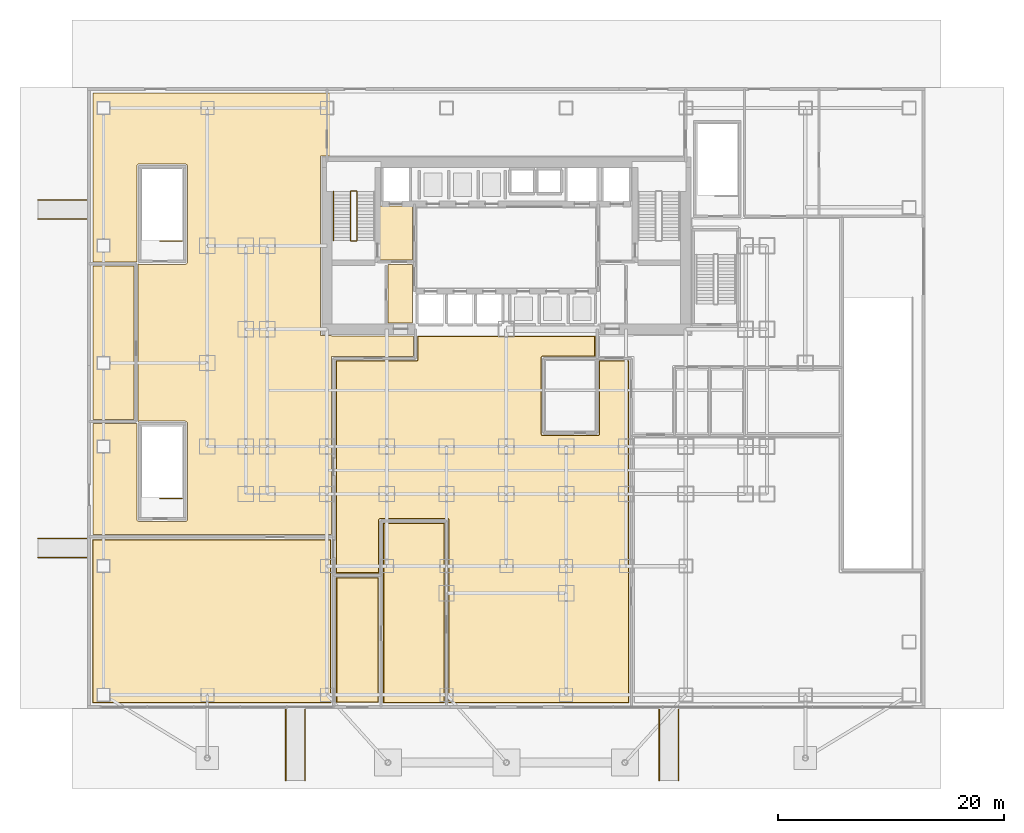
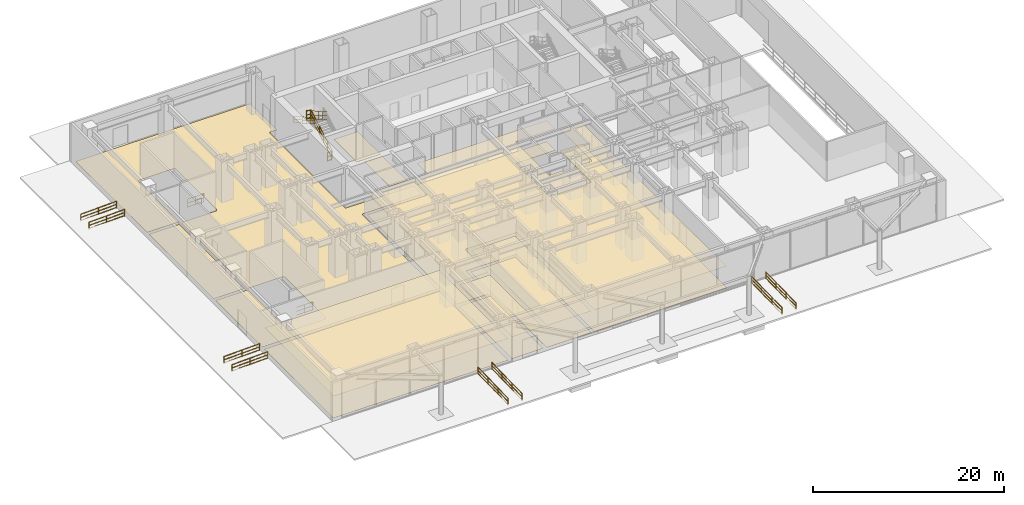
# One storey, part 15 of 18: 15 railings, 12 coverings.
"""IFC4 building model written with IfcOpenShell, lengths in metres."""

from ifc_helpers import new_model, si_unit, direction, frame, origin, origin_2d, place, context, subcontext, project, spatial, polyline, circle, outline, extrude, material, layer, layer_set, type_object, element, save


model = new_model("IFC4")

# Units and contexts
model_context = context("Model", 3, precision=1e-05, world=origin(), true_north=direction((0.0, 1.0)))
body_context = subcontext(model_context, "Body", "Model", "MODEL_VIEW")
ifc_project = project(units=[si_unit("LENGTHUNIT", "METRE"), si_unit("AREAUNIT", "SQUARE_METRE"), si_unit("VOLUMEUNIT", "CUBIC_METRE"), si_unit("PLANEANGLEUNIT", "RADIAN"), si_unit("MASSUNIT", "GRAM", prefix="KILO")], contexts=[model_context])

# Site, building, storey
site_placement = place(None, origin())
site = spatial("IfcSite", under=ifc_project, at=site_placement, CompositionType="ELEMENT")
building_placement = place(site_placement, origin())
building = spatial("IfcBuilding", under=site, at=building_placement, Name="Qianlan Lanfeng Residences", CompositionType="ELEMENT")
storey_placement = place(building_placement, origin())
storey = spatial("IfcBuildingStorey", under=building, at=storey_placement, Name="L00", CompositionType="ELEMENT", Elevation=0.0)

# Coverings
ifc_material_1 = material(Name="Acoustic Perforated Gypsum Ceiling Board")
ifc_layer_1 = layer(ifc_material_1, 0.02001953125)
ifc_layer_set_1 = layer_set([ifc_layer_1], Name="Acoustic Perforated Gypsum Ceiling Board")
covering_type_1 = type_object("IfcCoveringType", Name="CLG-GYP-15", PredefinedType="CEILING", material=ifc_layer_set_1)
covering_1_placement = place(storey_placement, frame((0.0, 0.0, 2.75)))
element("IfcCovering", 1, at=covering_1_placement, inside=storey, type_object=covering_type_1, Name="L00 Fire Command Centre Suspended Ceiling", PredefinedType="CEILING", context=body_context, shape_type="SweptSolid", body=[
    extrude(outline(polyline([(11.469970703125, -7.830078125), (15.1298828125, -7.830078125), (15.1298828125, 3.1298828125), (11.469970703125, 3.1298828125), (11.469970703125, -7.830078125)])), origin(), (0.0, 0.0, 1.0), 0.02001953125),
])
covering_2_placement = place(storey_placement, frame((0.0, 0.0, 2.75)))
element("IfcCovering", 2, at=covering_2_placement, inside=storey, type_object=covering_type_1, Name="L00 Harbour Retail Gallery Suspended Ceiling", PredefinedType="CEILING", context=body_context, shape_type="SweptSolid", body=[
    extrude(outline(polyline([(-10.1298828125, -7.8798828125), (10.929931640625, -7.8798828125), (10.929931640625, 6.530029296875), (-10.1298828125, 6.530029296875), (-10.1298828125, -7.8798828125)])), origin(), (0.0, 0.0, 1.0), 0.02001953125),
])
covering_3_placement = place(storey_placement, frame((0.0, 0.0, 2.75)))
element("IfcCovering", 3, at=covering_3_placement, inside=storey, type_object=covering_type_1, Name="L00 Harbour Cafe Suspended Ceiling", PredefinedType="CEILING", context=body_context, shape_type="SweptSolid", body=[
    extrude(outline(polyline([(15.639892578125, -7.8798828125), (20.9599609375, -7.8798828125), (20.9599609375, 7.9599609375), (15.639892578125, 7.9599609375), (15.639892578125, -7.8798828125)])), origin(), (0.0, 0.0, 1.0), 0.02001953125),
])
covering_4_placement = place(storey_placement, frame((0.0, 0.0, 2.75)))
element("IfcCovering", 4, at=covering_4_placement, inside=storey, type_object=covering_type_1, Name="L00 Grand Entrance Concierge Hall Suspended Ceiling", PredefinedType="CEILING", context=body_context, shape_type="SweptSolid", body=[
    extrude(outline(polyline([(37.340087890625, -7.8798828125), (37.340087890625, 22.3798828125), (34.77001953125, 22.3798828125), (34.77001953125, 15.89990234375), (34.76904296875, 15.887939453125), (34.76806640625, 15.876953125), (34.764892578125, 15.864990234375), (34.760986328125, 15.85400390625), (34.756103515625, 15.843017578125), (34.75, 15.8330078125), (34.742919921875, 15.823974609375), (34.735107421875, 15.81494140625), (34.72607421875, 15.806884765625), (34.717041015625, 15.800048828125), (34.70703125, 15.7939453125), (34.696044921875, 15.7890625), (34.68505859375, 15.784912109375), (34.673095703125, 15.781982421875), (34.662109375, 15.781005859375), (34.64990234375, 15.780029296875), (29.699951171875, 15.780029296875), (29.68798828125, 15.781005859375), (29.677001953125, 15.781982421875), (29.6650390625, 15.784912109375), (29.654052734375, 15.7890625), (29.64306640625, 15.7939453125), (29.633056640625, 15.800048828125), (29.6240234375, 15.806884765625), (29.614990234375, 15.81494140625), (29.60693359375, 15.823974609375), (29.60009765625, 15.8330078125), (29.593994140625, 15.843017578125), (29.589111328125, 15.85400390625), (29.5849609375, 15.864990234375), (29.58203125, 15.876953125), (29.5810546875, 15.887939453125), (29.580078125, 15.89990234375), (29.580078125, 22.699951171875), (29.5810546875, 22.7119140625), (29.58203125, 22.722900390625), (29.5849609375, 22.735107421875), (29.589111328125, 22.74609375), (29.593994140625, 22.757080078125), (29.60009765625, 22.76708984375), (29.60693359375, 22.77587890625), (29.614990234375, 22.784912109375), (29.6240234375, 22.79296875), (29.633056640625, 22.800048828125), (29.64306640625, 22.805908203125), (29.654052734375, 22.81103515625), (29.6650390625, 22.81494140625), (29.677001953125, 22.818115234375), (29.68798828125, 22.819091796875), (29.699951171875, 22.820068359375), (34.330078125, 22.820068359375), (34.330078125, 24.56005859375), (18.669921875, 24.56005859375), (18.669921875, 22.5), (18.6689453125, 22.488037109375), (18.66796875, 22.47705078125), (18.6650390625, 22.465087890625), (18.660888671875, 22.4541015625), (18.656005859375, 22.443115234375), (18.64990234375, 22.43310546875), (18.64306640625, 22.424072265625), (18.635009765625, 22.4150390625), (18.6259765625, 22.406982421875), (18.616943359375, 22.39990234375), (18.60693359375, 22.39404296875), (18.595947265625, 22.388916015625), (18.5849609375, 22.385009765625), (18.572998046875, 22.382080078125), (18.56201171875, 22.381103515625), (18.550048828125, 22.3798828125), (11.4599609375, 22.3798828125), (11.4599609375, 3.6201171875), (15.179931640625, 3.6201171875), (15.179931640625, 8.300048828125), (15.180908203125, 8.31201171875), (15.181884765625, 8.322998046875), (15.18505859375, 8.3349609375), (15.18896484375, 8.345947265625), (15.194091796875, 8.35693359375), (15.199951171875, 8.366943359375), (15.20703125, 8.3759765625), (15.215087890625, 8.385009765625), (15.22412109375, 8.39306640625), (15.23291015625, 8.39990234375), (15.242919921875, 8.406005859375), (15.25390625, 8.410888671875), (15.264892578125, 8.4150390625), (15.277099609375, 8.41796875), (15.2880859375, 8.4189453125), (15.300048828125, 8.419921875), (21.300048828125, 8.419921875), (21.31201171875, 8.4189453125), (21.322998046875, 8.41796875), (21.3349609375, 8.4150390625), (21.345947265625, 8.410888671875), (21.35693359375, 8.406005859375), (21.366943359375, 8.39990234375), (21.3759765625, 8.39306640625), (21.385009765625, 8.385009765625), (21.39306640625, 8.3759765625), (21.39990234375, 8.366943359375), (21.406005859375, 8.35693359375), (21.410888671875, 8.345947265625), (21.4150390625, 8.3349609375), (21.41796875, 8.322998046875), (21.4189453125, 8.31201171875), (21.419921875, 8.300048828125), (21.419921875, -7.8798828125), (37.340087890625, -7.8798828125)])), origin(), (0.0, 0.0, 1.0), 0.02001953125),
])
ifc_material_2 = material(Name="Honed Taitung Granite Stone Flooring", Category="masonry")
ifc_layer_2 = layer(ifc_material_2, 0.030029296875)
ifc_layer_set_2 = layer_set([ifc_layer_2], Name="Honed Taitung Granite Stone Flooring")
covering_type_2 = type_object("IfcCoveringType", Name="FLR-STN-30", PredefinedType="FLOORING", material=ifc_layer_set_2)
covering_5_placement = place(storey_placement, origin())
element("IfcCovering", 5, at=covering_5_placement, inside=storey, type_object=covering_type_2, Name="L00 Firefighting Lift Lobby Floor Finish", PredefinedType="FLOORING", context=body_context, shape_type="SweptSolid", body=[
    extrude(outline(polyline([(15.2900390625, 31.320068359375), (18.179931640625, 31.320068359375), (18.179931640625, 36.110107421875), (15.2900390625, 36.110107421875), (15.2900390625, 31.320068359375)])), origin(), (0.0, 0.0, 1.0), 0.030029296875),
])
covering_6_placement = place(storey_placement, origin())
element("IfcCovering", 6, at=covering_6_placement, inside=storey, type_object=covering_type_2, Name="L00 Harbour Retail Gallery Floor Finish", PredefinedType="FLOORING", context=body_context, shape_type="SweptSolid", body=[
    extrude(outline(polyline([(-10.179931640625, -7.929931640625), (10.97998046875, -7.929931640625), (10.97998046875, 6.580078125), (-10.179931640625, 6.580078125), (-10.179931640625, -7.929931640625)])), origin(), (0.0, 0.0, 1.0), 0.030029296875),
])
covering_7_placement = place(storey_placement, origin())
element("IfcCovering", 7, at=covering_7_placement, inside=storey, type_object=covering_type_2, Name="L00 Harbour Cafe Floor Finish", PredefinedType="FLOORING", context=body_context, shape_type="SweptSolid", body=[
    extrude(outline(polyline([(15.590087890625, -7.929931640625), (21.010009765625, -7.929931640625), (21.010009765625, 8.010009765625), (15.590087890625, 8.010009765625), (15.590087890625, -7.929931640625)])), origin(), (0.0, 0.0, 1.0), 0.030029296875),
])
covering_8_placement = place(storey_placement, origin())
element("IfcCovering", 8, at=covering_8_placement, inside=storey, type_object=covering_type_2, Name="L00 Grand Entrance Concierge Hall Floor Finish", PredefinedType="FLOORING", context=body_context, shape_type="SweptSolid", body=[
    extrude(outline(polyline([(37.389892578125, -7.929931640625), (37.389892578125, 22.429931640625), (34.719970703125, 22.429931640625), (34.719970703125, 15.89990234375), (34.719970703125, 15.89306640625), (34.718994140625, 15.885986328125), (34.717041015625, 15.8798828125), (34.715087890625, 15.873046875), (34.7119140625, 15.866943359375), (34.7080078125, 15.861083984375), (34.7041015625, 15.85595703125), (34.698974609375, 15.85107421875), (34.694091796875, 15.845947265625), (34.68896484375, 15.842041015625), (34.68310546875, 15.837890625), (34.677001953125, 15.8349609375), (34.669921875, 15.8330078125), (34.6640625, 15.8310546875), (34.656982421875, 15.830078125), (34.64990234375, 15.830078125), (29.699951171875, 15.830078125), (29.693115234375, 15.830078125), (29.68603515625, 15.8310546875), (29.679931640625, 15.8330078125), (29.673095703125, 15.8349609375), (29.6669921875, 15.837890625), (29.660888671875, 15.842041015625), (29.656005859375, 15.845947265625), (29.65087890625, 15.85107421875), (29.64599609375, 15.85595703125), (29.64208984375, 15.861083984375), (29.637939453125, 15.866943359375), (29.635009765625, 15.873046875), (29.633056640625, 15.8798828125), (29.631103515625, 15.885986328125), (29.6298828125, 15.89306640625), (29.6298828125, 15.89990234375), (29.6298828125, 22.699951171875), (29.6298828125, 22.70703125), (29.631103515625, 22.714111328125), (29.633056640625, 22.719970703125), (29.635009765625, 22.72705078125), (29.637939453125, 22.73291015625), (29.64208984375, 22.739013671875), (29.64599609375, 22.743896484375), (29.65087890625, 22.7490234375), (29.656005859375, 22.75390625), (29.660888671875, 22.758056640625), (29.6669921875, 22.761962890625), (29.673095703125, 22.764892578125), (29.679931640625, 22.76708984375), (29.68603515625, 22.76904296875), (29.693115234375, 22.77001953125), (29.699951171875, 22.77001953125), (34.3798828125, 22.77001953125), (34.3798828125, 24.610107421875), (18.6201171875, 24.610107421875), (18.6201171875, 22.5), (18.6201171875, 22.492919921875), (18.618896484375, 22.486083984375), (18.616943359375, 22.47998046875), (18.614990234375, 22.472900390625), (18.612060546875, 22.467041015625), (18.60791015625, 22.4609375), (18.60400390625, 22.4560546875), (18.59912109375, 22.450927734375), (18.593994140625, 22.446044921875), (18.589111328125, 22.44189453125), (18.5830078125, 22.43798828125), (18.576904296875, 22.43505859375), (18.570068359375, 22.43310546875), (18.56396484375, 22.430908203125), (18.556884765625, 22.429931640625), (18.550048828125, 22.429931640625), (11.409912109375, 22.429931640625), (11.409912109375, 3.570068359375), (15.22998046875, 3.570068359375), (15.22998046875, 8.300048828125), (15.22998046875, 8.306884765625), (15.23095703125, 8.31396484375), (15.23291015625, 8.320068359375), (15.235107421875, 8.326904296875), (15.238037109375, 8.3330078125), (15.241943359375, 8.339111328125), (15.24609375, 8.343994140625), (15.2509765625, 8.34912109375), (15.256103515625, 8.35400390625), (15.260986328125, 8.35791015625), (15.26708984375, 8.362060546875), (15.27294921875, 8.364990234375), (15.280029296875, 8.366943359375), (15.285888671875, 8.368896484375), (15.29296875, 8.3701171875), (15.300048828125, 8.3701171875), (21.300048828125, 8.3701171875), (21.306884765625, 8.3701171875), (21.31396484375, 8.368896484375), (21.320068359375, 8.366943359375), (21.326904296875, 8.364990234375), (21.3330078125, 8.362060546875), (21.339111328125, 8.35791015625), (21.343994140625, 8.35400390625), (21.34912109375, 8.34912109375), (21.35400390625, 8.343994140625), (21.35791015625, 8.339111328125), (21.362060546875, 8.3330078125), (21.364990234375, 8.326904296875), (21.366943359375, 8.320068359375), (21.368896484375, 8.31396484375), (21.3701171875, 8.306884765625), (21.3701171875, 8.300048828125), (21.3701171875, -7.929931640625), (37.389892578125, -7.929931640625)])), origin(), (0.0, 0.0, 1.0), 0.030029296875),
])
covering_9_placement = place(storey_placement, origin())
element("IfcCovering", 9, at=covering_9_placement, inside=storey, type_object=covering_type_2, Name="L00 Lift Lobby Floor Finish", PredefinedType="FLOORING", context=body_context, shape_type="SweptSolid", body=[
    extrude(outline(polyline([(16.030029296875, 25.77001953125), (18.169921875, 25.77001953125), (18.169921875, 30.949951171875), (16.030029296875, 30.949951171875), (16.030029296875, 25.77001953125)])), origin(), (0.0, 0.0, 1.0), 0.030029296875),
])
covering_10_placement = place(storey_placement, origin())
element("IfcCovering", 10, at=covering_10_placement, inside=storey, type_object=covering_type_2, Name="L00 West Ground Exit Corridor Floor Finish", PredefinedType="FLOORING", context=body_context, shape_type="SweptSolid", body=[
    extrude(outline(polyline([(-10.14990234375, 7.010009765625), (10.989990234375, 7.010009765625), (10.989990234375, 22.719970703125), (10.989990234375, 22.72705078125), (10.990966796875, 22.73388671875), (10.992919921875, 22.739990234375), (10.9951171875, 22.7470703125), (10.998046875, 22.7529296875), (11.001953125, 22.759033203125), (11.006103515625, 22.763916015625), (11.010986328125, 22.76904296875), (11.01611328125, 22.77392578125), (11.02099609375, 22.778076171875), (11.027099609375, 22.781982421875), (11.032958984375, 22.784912109375), (11.0400390625, 22.787109375), (11.0458984375, 22.7890625), (11.052978515625, 22.7900390625), (11.06005859375, 22.7900390625), (18.25, 22.7900390625), (18.25, 24.610107421875), (11.06005859375, 24.610107421875), (11.052978515625, 24.610107421875), (11.0458984375, 24.611083984375), (11.0400390625, 24.613037109375), (11.032958984375, 24.614990234375), (11.027099609375, 24.617919921875), (11.02099609375, 24.6220703125), (11.01611328125, 24.6259765625), (11.010986328125, 24.6298828125), (10.10009765625, 24.6298828125), (10.093017578125, 24.6298828125), (10.0859375, 24.631103515625), (10.080078125, 24.633056640625), (10.072998046875, 24.635009765625), (10.06689453125, 24.637939453125), (10.06103515625, 24.64208984375), (10.055908203125, 24.64599609375), (10.051025390625, 24.65087890625), (10.0458984375, 24.656005859375), (10.0419921875, 24.660888671875), (10.0380859375, 24.6669921875), (10.034912109375, 24.673095703125), (10.032958984375, 24.679931640625), (10.031005859375, 24.68603515625), (10.030029296875, 24.693115234375), (10.030029296875, 24.699951171875), (10.030029296875, 40.5), (10.030029296875, 40.507080078125), (10.031005859375, 40.513916015625), (10.032958984375, 40.52001953125), (10.034912109375, 40.527099609375), (10.0380859375, 40.532958984375), (10.0419921875, 40.5390625), (10.0458984375, 40.5439453125), (10.051025390625, 40.549072265625), (10.055908203125, 40.553955078125), (10.06103515625, 40.55810546875), (10.06689453125, 40.56201171875), (10.072998046875, 40.56494140625), (10.080078125, 40.56689453125), (10.0859375, 40.569091796875), (10.093017578125, 40.570068359375), (10.10009765625, 40.570068359375), (10.989990234375, 40.570068359375), (10.989990234375, 46.14990234375), (-10.14990234375, 46.14990234375), (-10.14990234375, 31.169921875), (-6.248046875, 31.169921875), (-6.2490234375, 31.175048828125), (-6.25, 31.199951171875), (-6.25, 39.60009765625), (-6.2490234375, 39.625), (-6.2451171875, 39.64892578125), (-6.239013671875, 39.673095703125), (-6.23095703125, 39.696044921875), (-6.219970703125, 39.718017578125), (-6.2080078125, 39.739013671875), (-6.193115234375, 39.759033203125), (-6.177001953125, 39.777099609375), (-6.158935546875, 39.79296875), (-6.138916015625, 39.80810546875), (-6.117919921875, 39.820068359375), (-6.095947265625, 39.8310546875), (-6.072998046875, 39.839111328125), (-6.049072265625, 39.844970703125), (-6.02490234375, 39.84912109375), (-6.0, 39.85009765625), (-2.0, 39.85009765625), (-1.97509765625, 39.84912109375), (-1.950927734375, 39.844970703125), (-1.927001953125, 39.839111328125), (-1.904052734375, 39.8310546875), (-1.882080078125, 39.820068359375), (-1.861083984375, 39.80810546875), (-1.841064453125, 39.79296875), (-1.822998046875, 39.777099609375), (-1.806884765625, 39.759033203125), (-1.7919921875, 39.739013671875), (-1.780029296875, 39.718017578125), (-1.76904296875, 39.696044921875), (-1.760986328125, 39.673095703125), (-1.7548828125, 39.64892578125), (-1.7509765625, 39.625), (-1.75, 39.60009765625), (-1.75, 31.199951171875), (-1.7509765625, 31.175048828125), (-1.7548828125, 31.15087890625), (-1.760986328125, 31.126953125), (-1.76904296875, 31.10400390625), (-1.780029296875, 31.08203125), (-1.7919921875, 31.06103515625), (-1.806884765625, 31.041015625), (-1.822998046875, 31.02294921875), (-1.841064453125, 31.007080078125), (-1.861083984375, 30.991943359375), (-1.882080078125, 30.97998046875), (-1.904052734375, 30.968994140625), (-1.927001953125, 30.9609375), (-1.950927734375, 30.955078125), (-1.97509765625, 30.950927734375), (-2.0, 30.949951171875), (-6.0, 30.949951171875), (-6.02490234375, 30.950927734375), (-6.049072265625, 30.955078125), (-6.072998046875, 30.9609375), (-6.095947265625, 30.968994140625), (-6.117919921875, 30.97998046875), (-6.1298828125, 30.987060546875), (-6.1298828125, 17.012939453125), (-6.117919921875, 17.02001953125), (-6.095947265625, 17.031005859375), (-6.072998046875, 17.0390625), (-6.049072265625, 17.044921875), (-6.02490234375, 17.049072265625), (-6.0, 17.050048828125), (-2.0, 17.050048828125), (-1.97509765625, 17.049072265625), (-1.950927734375, 17.044921875), (-1.927001953125, 17.0390625), (-1.904052734375, 17.031005859375), (-1.882080078125, 17.02001953125), (-1.861083984375, 17.008056640625), (-1.841064453125, 16.992919921875), (-1.822998046875, 16.97705078125), (-1.806884765625, 16.958984375), (-1.7919921875, 16.93896484375), (-1.780029296875, 16.91796875), (-1.76904296875, 16.89599609375), (-1.760986328125, 16.873046875), (-1.7548828125, 16.84912109375), (-1.7509765625, 16.824951171875), (-1.75, 16.800048828125), (-1.75, 8.39990234375), (-1.7509765625, 8.375), (-1.7548828125, 8.35107421875), (-1.760986328125, 8.326904296875), (-1.76904296875, 8.303955078125), (-1.780029296875, 8.281982421875), (-1.7919921875, 8.260986328125), (-1.806884765625, 8.240966796875), (-1.822998046875, 8.222900390625), (-1.841064453125, 8.20703125), (-1.861083984375, 8.19189453125), (-1.882080078125, 8.179931640625), (-1.904052734375, 8.1689453125), (-1.927001953125, 8.160888671875), (-1.950927734375, 8.155029296875), (-1.97509765625, 8.15087890625), (-2.0, 8.14990234375), (-6.0, 8.14990234375), (-6.02490234375, 8.15087890625), (-6.049072265625, 8.155029296875), (-6.072998046875, 8.160888671875), (-6.095947265625, 8.1689453125), (-6.117919921875, 8.179931640625), (-6.138916015625, 8.19189453125), (-6.158935546875, 8.20703125), (-6.177001953125, 8.222900390625), (-6.193115234375, 8.240966796875), (-6.2080078125, 8.260986328125), (-6.219970703125, 8.281982421875), (-6.23095703125, 8.303955078125), (-6.239013671875, 8.326904296875), (-6.2451171875, 8.35107421875), (-6.2490234375, 8.375), (-6.25, 8.39990234375), (-6.25, 16.800048828125), (-6.2490234375, 16.824951171875), (-6.248046875, 16.830078125), (-10.14990234375, 16.830078125), (-10.14990234375, 7.010009765625)])), origin(), (0.0, 0.0, 1.0), 0.030029296875),
])
ifc_material_3 = material(Name="Slip-Resistant Porcelain Tile Flooring")
ifc_layer_3 = layer(ifc_material_3, 0.02001953125)
ifc_layer_set_3 = layer_set([ifc_layer_3], Name="Slip-Resistant Porcelain Tile Flooring")
covering_type_3 = type_object("IfcCoveringType", Name="FLR-TIL-20", PredefinedType="FLOORING", material=ifc_layer_set_3)
covering_11_placement = place(storey_placement, origin())
element("IfcCovering", 11, at=covering_11_placement, inside=storey, type_object=covering_type_3, Name="L00 Fire Command Centre Floor Finish", PredefinedType="FLOORING", context=body_context, shape_type="SweptSolid", body=[
    extrude(outline(polyline([(11.419921875, -7.8798828125), (15.179931640625, -7.8798828125), (15.179931640625, 3.179931640625), (11.419921875, 3.179931640625), (11.419921875, -7.8798828125)])), origin(), (0.0, 0.0, 1.0), 0.02001953125),
])
covering_12_placement = place(storey_placement, origin())
element("IfcCovering", 12, at=covering_12_placement, inside=storey, type_object=covering_type_3, Name="L00 Resident Storage and Bicycle Room Floor Finish", PredefinedType="FLOORING", context=body_context, shape_type="SweptSolid", body=[
    extrude(outline(polyline([(-10.14990234375, 17.2099609375), (-6.489990234375, 17.2099609375), (-6.489990234375, 30.7900390625), (-10.14990234375, 30.7900390625), (-10.14990234375, 17.2099609375)])), origin(), (0.0, 0.0, 1.0), 0.02001953125),
])

# Railings
ifc_material_4 = material(Name="Painted Galvanised Steel Guardrail", Category="steel")
railing_type_1 = type_object("IfcRailingType", Name="GR-ST-1120", PredefinedType="GUARDRAIL", material=ifc_material_4)
railing_1_placement = place(storey_placement, frame((13.27001953125, 33.050048828125, 0.16259765625)))
element("IfcRailing", 13, at=railing_1_placement, inside=storey, type_object=railing_type_1, Name="L00 ST-1 stair guard 1", PredefinedType="GUARDRAIL", context=body_context, shape_type="SweptSolid", body=[
    extrude(circle(Radius=0.02392578125, at=origin_2d()), frame((0.0, 0.0, 0.083984375), z_axis=(0.0, 0.872370723449, 0.488844884263), x_axis=(-1.0, 0.0, 0.0)), (0.0, 0.0, 1.0), 4.986328125),
    extrude(circle(Radius=0.02392578125, at=origin_2d()), frame((0.0, 0.0, 0.58251953125), z_axis=(0.0, 0.872370723449, 0.488844884263), x_axis=(-1.0, 0.0, 0.0)), (0.0, 0.0, 1.0), 4.986328125),
    extrude(circle(Radius=0.02392578125, at=origin_2d()), frame((0.0, 0.0, 1.09619140625), z_axis=(0.0, 0.872370723449, 0.488844884263), x_axis=(-1.0, 0.0, 0.0)), (0.0, 0.0, 1.0), 4.986328125),
    extrude(circle(Radius=0.02099609375, at=origin_2d()), origin(), (0.0, 0.0, 1.0), 1.072021484375),
    extrude(circle(Radius=0.02099609375, at=origin_2d()), frame((0.0, 0.869873046875, 0.487548828125)), (0.0, 0.0, 1.0), 1.072021484375),
    extrude(circle(Radius=0.02099609375, at=origin_2d()), frame((0.0, 1.739990234375, 0.97509765625)), (0.0, 0.0, 1.0), 1.072021484375),
    extrude(circle(Radius=0.02099609375, at=origin_2d()), frame((0.0, 2.60986328125, 1.46240234375)), (0.0, 0.0, 1.0), 1.072021484375),
    extrude(circle(Radius=0.02099609375, at=origin_2d()), frame((0.0, 3.47998046875, 1.949951171875)), (0.0, 0.0, 1.0), 1.072021484375),
    extrude(circle(Radius=0.02099609375, at=origin_2d()), frame((0.0, 4.349853515625, 2.4375)), (0.0, 0.0, 1.0), 1.072021484375),
])
railing_2_placement = place(storey_placement, frame((13.219970703125, 37.449951171875, 2.60009765625)))
element("IfcRailing", 14, at=railing_2_placement, inside=storey, type_object=railing_type_1, Name="L00 ST-1 stair guard 2", PredefinedType="GUARDRAIL", context=body_context, shape_type="SweptSolid", body=[
    extrude(circle(Radius=0.02392578125, at=origin_2d()), frame((0.0, 0.0, 0.083984375), z_axis=(-1.0, 0.0, 0.0), x_axis=(0.0, -1.0, 0.0)), (0.0, 0.0, 1.0), 0.47998046875),
    extrude(circle(Radius=0.02392578125, at=origin_2d()), frame((0.0, 0.0, 0.58251953125), z_axis=(-1.0, 0.0, 0.0), x_axis=(0.0, -1.0, 0.0)), (0.0, 0.0, 1.0), 0.47998046875),
    extrude(circle(Radius=0.02392578125, at=origin_2d()), frame((0.0, 0.0, 1.09619140625), z_axis=(-1.0, 0.0, 0.0), x_axis=(0.0, -1.0, 0.0)), (0.0, 0.0, 1.0), 0.47998046875),
    extrude(circle(Radius=0.02099609375, at=origin_2d()), origin(), (0.0, 0.0, 1.0), 1.072021484375),
    extrude(circle(Radius=0.02099609375, at=origin_2d()), frame((-0.47998046875, 0.0, 0.0)), (0.0, 0.0, 1.0), 1.072021484375),
])
railing_3_placement = place(storey_placement, frame((12.68994140625, 37.39990234375, 2.762451171875)))
element("IfcRailing", 15, at=railing_3_placement, inside=storey, type_object=railing_type_1, Name="L00 ST-1 stair guard 3", PredefinedType="GUARDRAIL", context=body_context, shape_type="SweptSolid", body=[
    extrude(circle(Radius=0.02392578125, at=origin_2d()), frame((0.0, 0.0, 0.083984375), z_axis=(0.0, -0.872370723449, 0.488844884263), x_axis=(1.0, 0.0, 0.0)), (0.0, 0.0, 1.0), 4.986328125),
    extrude(circle(Radius=0.02392578125, at=origin_2d()), frame((0.0, 0.0, 0.58251953125), z_axis=(0.0, -0.872370723449, 0.488844884263), x_axis=(1.0, 0.0, 0.0)), (0.0, 0.0, 1.0), 4.986328125),
    extrude(circle(Radius=0.02392578125, at=origin_2d()), frame((0.0, 0.0, 1.09619140625), z_axis=(0.0, -0.872370723449, 0.488844884263), x_axis=(1.0, 0.0, 0.0)), (0.0, 0.0, 1.0), 4.986328125),
    extrude(circle(Radius=0.02099609375, at=origin_2d()), origin(), (0.0, 0.0, 1.0), 1.072021484375),
    extrude(circle(Radius=0.02099609375, at=origin_2d()), frame((0.0, -0.869873046875, 0.487548828125)), (0.0, 0.0, 1.0), 1.072021484375),
    extrude(circle(Radius=0.02099609375, at=origin_2d()), frame((0.0, -1.739990234375, 0.97509765625)), (0.0, 0.0, 1.0), 1.072021484375),
    extrude(circle(Radius=0.02099609375, at=origin_2d()), frame((0.0, -2.60986328125, 1.46240234375)), (0.0, 0.0, 1.0), 1.072021484375),
    extrude(circle(Radius=0.02099609375, at=origin_2d()), frame((0.0, -3.47998046875, 1.949951171875)), (0.0, 0.0, 1.0), 1.072021484375),
    extrude(circle(Radius=0.02099609375, at=origin_2d()), frame((0.0, -4.349853515625, 2.4375)), (0.0, 0.0, 1.0), 1.072021484375),
])
railing_4_placement = place(storey_placement, frame((13.219970703125, 33.0, 0.0)))
element("IfcRailing", 16, at=railing_4_placement, inside=storey, type_object=railing_type_1, Name="L00 ST-1 stair guard 4", PredefinedType="GUARDRAIL", context=body_context, shape_type="SweptSolid", body=[
    extrude(circle(Radius=0.02392578125, at=origin_2d()), frame((0.0, 0.0, 0.083984375), z_axis=(-1.0, 0.0, 0.0), x_axis=(0.0, -1.0, 0.0)), (0.0, 0.0, 1.0), 0.47998046875),
    extrude(circle(Radius=0.02392578125, at=origin_2d()), frame((0.0, 0.0, 0.58251953125), z_axis=(-1.0, 0.0, 0.0), x_axis=(0.0, -1.0, 0.0)), (0.0, 0.0, 1.0), 0.47998046875),
    extrude(circle(Radius=0.02392578125, at=origin_2d()), frame((0.0, 0.0, 1.09619140625), z_axis=(-1.0, 0.0, 0.0), x_axis=(0.0, -1.0, 0.0)), (0.0, 0.0, 1.0), 0.47998046875),
    extrude(circle(Radius=0.02099609375, at=origin_2d()), origin(), (0.0, 0.0, 1.0), 1.072021484375),
    extrude(circle(Radius=0.02099609375, at=origin_2d()), frame((-0.47998046875, 0.0, 0.0)), (0.0, 0.0, 1.0), 1.072021484375),
])
for number, where, name in (
    (17, (-2.22998046875, 33.0, 0.0), "L00 ST-B1 top well guard 1"),
    (18, (-2.22998046875, 10.199951171875, 0.0), "L00 ST-BP1 top well guard 1"),
):
    element("IfcRailing", number, at=place(storey_placement, frame(where)), inside=storey, type_object=railing_type_1, Name=name, PredefinedType="GUARDRAIL", context=body_context, shape_type="SweptSolid", body=[
        extrude(circle(Radius=0.02392578125, at=origin_2d()), frame((0.0, 0.0, 0.083984375), z_axis=(-1.0, 0.0, 0.0), x_axis=(0.0, -1.0, 0.0)), (0.0, 0.0, 1.0), 1.9599609375),
        extrude(circle(Radius=0.02392578125, at=origin_2d()), frame((0.0, 0.0, 0.58251953125), z_axis=(-1.0, 0.0, 0.0), x_axis=(0.0, -1.0, 0.0)), (0.0, 0.0, 1.0), 1.9599609375),
        extrude(circle(Radius=0.02392578125, at=origin_2d()), frame((0.0, 0.0, 1.09619140625), z_axis=(-1.0, 0.0, 0.0), x_axis=(0.0, -1.0, 0.0)), (0.0, 0.0, 1.0), 1.9599609375),
        extrude(circle(Radius=0.02099609375, at=origin_2d()), origin(), (0.0, 0.0, 1.0), 1.072021484375),
        extrude(circle(Radius=0.02099609375, at=origin_2d()), frame((-0.97998046875, 0.0, 0.0)), (0.0, 0.0, 1.0), 1.072021484375),
        extrude(circle(Radius=0.02099609375, at=origin_2d()), frame((-1.9599609375, 0.0, 0.0)), (0.0, 0.0, 1.0), 1.072021484375),
    ])
ifc_material_5 = material(Name="Brushed Stainless Steel Handrail", Category="steel")
railing_type_2 = type_object("IfcRailingType", Name="HR-ST-920", PredefinedType="HANDRAIL", material=ifc_material_5)
railing_5_placement = place(storey_placement, frame((11.18994140625, 37.39990234375, 2.762451171875)))
element("IfcRailing", 19, at=railing_5_placement, inside=storey, type_object=railing_type_2, Name="L00 ST-1 stair handrail 2", PredefinedType="HANDRAIL", context=body_context, shape_type="SweptSolid", body=[
    extrude(circle(Radius=0.02392578125, at=origin_2d()), frame((0.0, 0.0, 0.083984375), z_axis=(0.0, -0.872370723449, 0.488844884263), x_axis=(1.0, 0.0, 0.0)), (0.0, 0.0, 1.0), 4.986328125),
    extrude(circle(Radius=0.02392578125, at=origin_2d()), frame((0.0, 0.0, 0.468017578125), z_axis=(0.0, -0.872370723449, 0.488844884263), x_axis=(1.0, 0.0, 0.0)), (0.0, 0.0, 1.0), 4.986328125),
    extrude(circle(Radius=0.02392578125, at=origin_2d()), frame((0.0, 0.0, 0.8759765625), z_axis=(0.0, -0.872370723449, 0.488844884263), x_axis=(1.0, 0.0, 0.0)), (0.0, 0.0, 1.0), 4.986328125),
    extrude(circle(Radius=0.02099609375, at=origin_2d()), origin(), (0.0, 0.0, 1.0), 0.851806640625),
    extrude(circle(Radius=0.02099609375, at=origin_2d()), frame((0.0, -0.869873046875, 0.487548828125)), (0.0, 0.0, 1.0), 0.851806640625),
    extrude(circle(Radius=0.02099609375, at=origin_2d()), frame((0.0, -1.739990234375, 0.97509765625)), (0.0, 0.0, 1.0), 0.851806640625),
    extrude(circle(Radius=0.02099609375, at=origin_2d()), frame((0.0, -2.60986328125, 1.46240234375)), (0.0, 0.0, 1.0), 0.851806640625),
    extrude(circle(Radius=0.02099609375, at=origin_2d()), frame((0.0, -3.47998046875, 1.949951171875)), (0.0, 0.0, 1.0), 0.851806640625),
    extrude(circle(Radius=0.02099609375, at=origin_2d()), frame((0.0, -4.349853515625, 2.4375)), (0.0, 0.0, 1.0), 0.851806640625),
])
for number, where, name in (
    (20, (6.949951171875, -14.800048828125, -0.14990234375), "Accessible Ramp RP-1 Handrail L"),
    (21, (8.64990234375, -14.800048828125, -0.14990234375), "Accessible Ramp RP-1 Handrail R"),
    (22, (40.050048828125, -14.800048828125, -0.14990234375), "Accessible Ramp RP-2 Handrail L"),
    (23, (41.75, -14.800048828125, -0.14990234375), "Accessible Ramp RP-2 Handrail R"),
):
    element("IfcRailing", number, at=place(storey_placement, frame(where)), inside=storey, type_object=railing_type_2, Name=name, PredefinedType="HANDRAIL", context=body_context, shape_type="SweptSolid", body=[
        extrude(circle(Radius=0.02392578125, at=origin_2d()), frame((0.0, 0.0, 0.083984375), z_axis=(0.0, 0.999717046766, 0.02378710586), x_axis=(-1.0, 0.0, 0.0)), (0.0, 0.0, 1.0), 6.3017578125),
        extrude(circle(Radius=0.02392578125, at=origin_2d()), frame((0.0, 0.0, 0.468017578125), z_axis=(0.0, 0.999717046766, 0.02378710586), x_axis=(-1.0, 0.0, 0.0)), (0.0, 0.0, 1.0), 6.3017578125),
        extrude(circle(Radius=0.02392578125, at=origin_2d()), frame((0.0, 0.0, 0.8759765625), z_axis=(0.0, 0.999717046766, 0.02378710586), x_axis=(-1.0, 0.0, 0.0)), (0.0, 0.0, 1.0), 6.3017578125),
        extrude(circle(Radius=0.02099609375, at=origin_2d()), origin(), (0.0, 0.0, 1.0), 0.851806640625),
        extrude(circle(Radius=0.02099609375, at=origin_2d()), frame((0.0, 2.10009765625, 0.050048828125)), (0.0, 0.0, 1.0), 0.851806640625),
        extrude(circle(Radius=0.02099609375, at=origin_2d()), frame((0.0, 4.199951171875, 0.099853515625)), (0.0, 0.0, 1.0), 0.851806640625),
        extrude(circle(Radius=0.02099609375, at=origin_2d()), frame((0.0, 6.300048828125, 0.14990234375)), (0.0, 0.0, 1.0), 0.851806640625),
    ])
for number, where, name in (
    (24, (-15.0, 4.949951171875, -0.14990234375), "Accessible Ramp RP-3 Handrail L"),
    (25, (-15.0, 6.64990234375, -0.14990234375), "Accessible Ramp RP-3 Handrail R"),
    (26, (-15.0, 34.949951171875, -0.14990234375), "Accessible Ramp RP-4 Handrail L"),
    (27, (-15.0, 36.64990234375, -0.14990234375), "Accessible Ramp RP-4 Handrail R"),
):
    element("IfcRailing", number, at=place(storey_placement, frame(where)), inside=storey, type_object=railing_type_2, Name=name, PredefinedType="HANDRAIL", context=body_context, shape_type="SweptSolid", body=[
        extrude(circle(Radius=0.02392578125, at=origin_2d()), frame((0.0, 0.0, 0.083984375), z_axis=(0.999392922048, 0.0, 0.034839451209), x_axis=(0.0, 1.0, 0.0)), (0.0, 0.0, 1.0), 4.302734375),
        extrude(circle(Radius=0.02392578125, at=origin_2d()), frame((0.0, 0.0, 0.468017578125), z_axis=(0.999392922048, 0.0, 0.034839451209), x_axis=(0.0, 1.0, 0.0)), (0.0, 0.0, 1.0), 4.302734375),
        extrude(circle(Radius=0.02392578125, at=origin_2d()), frame((0.0, 0.0, 0.8759765625), z_axis=(0.999392922048, 0.0, 0.034839451209), x_axis=(0.0, 1.0, 0.0)), (0.0, 0.0, 1.0), 4.302734375),
        extrude(circle(Radius=0.02099609375, at=origin_2d()), origin(), (0.0, 0.0, 1.0), 0.851806640625),
        extrude(circle(Radius=0.02099609375, at=origin_2d()), frame((2.14990234375, 0.0, 0.074951171875)), (0.0, 0.0, 1.0), 0.851806640625),
        extrude(circle(Radius=0.02099609375, at=origin_2d()), frame((4.300048828125, 0.0, 0.14990234375)), (0.0, 0.0, 1.0), 0.851806640625),
    ])

save(model, "model.ifc")
